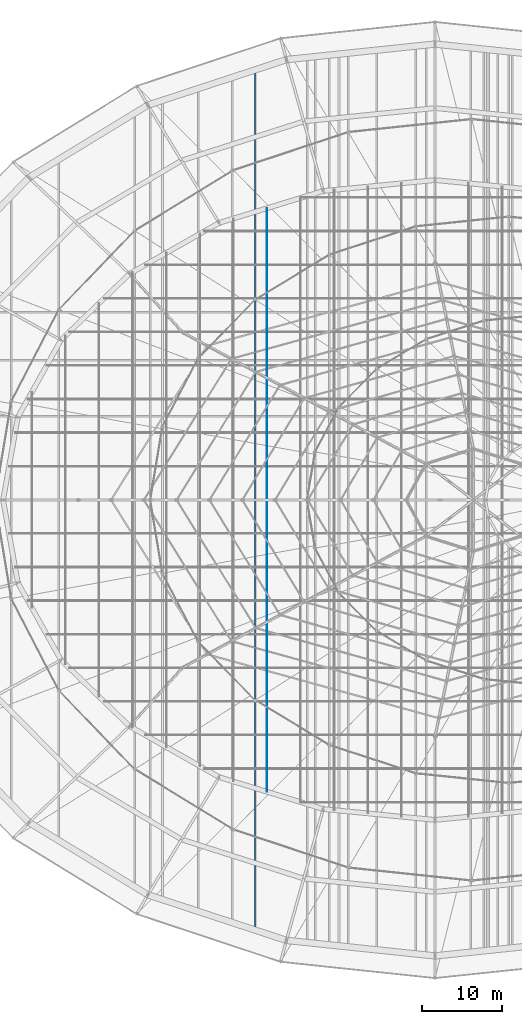
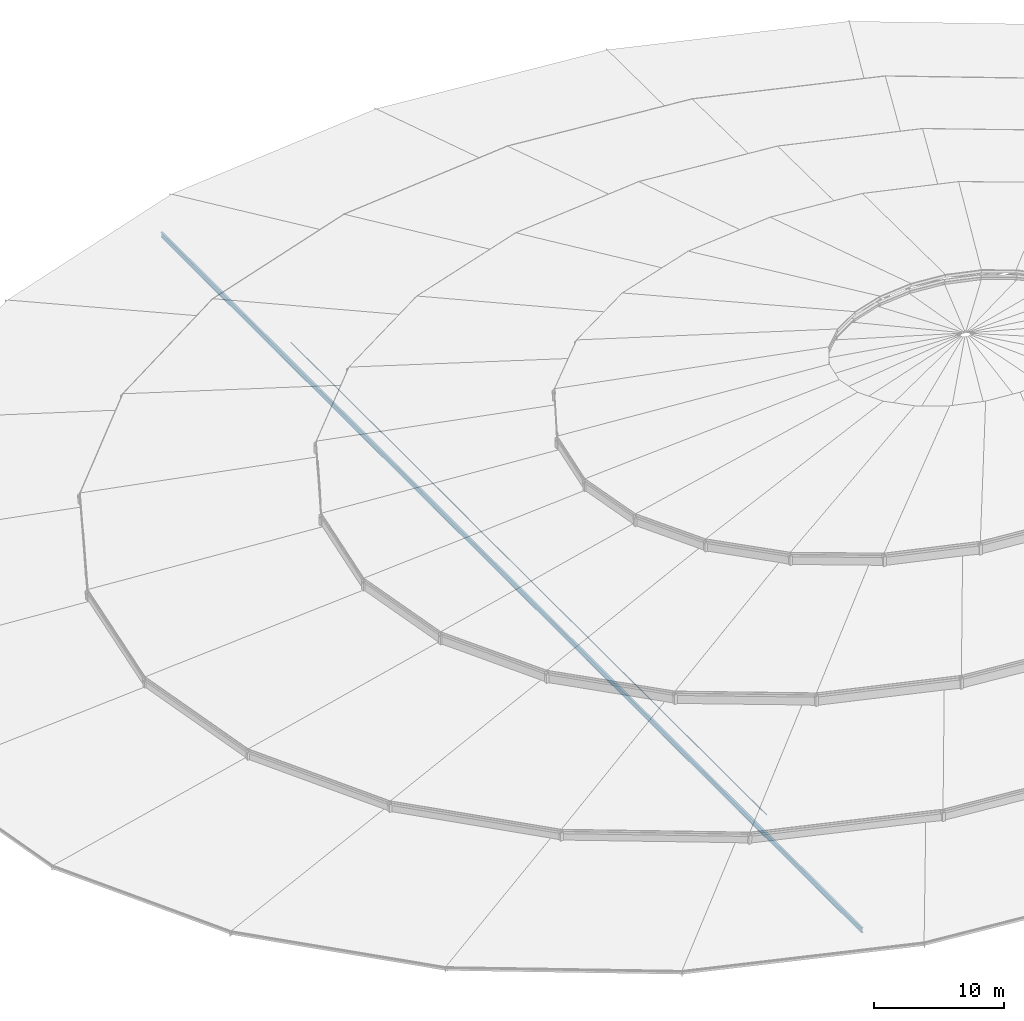
# One storey, part 24 of 184: 2 members.
"""IFC4 building model written with IfcOpenShell, lengths in metres."""

from ifc_helpers import new_model, si_unit, direction, frame, origin, origin_2d, place, context, subcontext, project, spatial, circle, i_section, extrude, material, material_profile, profile_set, type_object, element, save


model = new_model("IFC4")

# Units and contexts
model_context = context("Model", 3, precision=1e-05, world=origin(), true_north=direction((0.0, 1.0)))
body_context = subcontext(model_context, "Body", "Model", "MODEL_VIEW")
ifc_project = project(units=[si_unit("LENGTHUNIT", "METRE"), si_unit("AREAUNIT", "SQUARE_METRE"), si_unit("VOLUMEUNIT", "CUBIC_METRE"), si_unit("PLANEANGLEUNIT", "RADIAN"), si_unit("MASSUNIT", "GRAM", prefix="KILO")], contexts=[model_context])

# Site, building, storey
site_placement = place(None, origin())
site = spatial("IfcSite", under=ifc_project, at=site_placement, CompositionType="ELEMENT")
building_placement = place(site_placement, origin())
building = spatial("IfcBuilding", under=site, at=building_placement, Name="Kalgoora Escarpment Arena", CompositionType="ELEMENT")
storey_placement = place(building_placement, frame((0.0, 0.0, 27.60009765625)))
storey = spatial("IfcBuildingStorey", under=building, at=storey_placement, Name="Roof Level", CompositionType="ELEMENT", Elevation=27.60009765625)

# Members
ifc_material_1 = material(Name="High-tensile spiral strand steel Grade 450 (350 MPa)", Category="steel")
ifc_material_profile_1 = material_profile(ifc_material_1, circle(Radius=0.028076171875, at=origin_2d()))
ifc_profile_set_1 = profile_set([ifc_material_profile_1], Name="High-tensile spiral strand steel Grade 450 (350 MPa)")
member_type_1 = type_object("IfcMemberType", Name="MEM-CABLE-56", PredefinedType="USERDEFINED", material=ifc_profile_set_1)
member_1_placement = place(storey_placement, frame((71.39990234375, 27.51806640625, -1.190185546875), z_axis=(0.0, 1.0, 0.0), x_axis=(-1.0, 0.0, 0.0)))
element("IfcMember", 1, at=member_1_placement, inside=storey, type_object=member_type_1, Name="Roof saddle pretensioning cable Y-26", ObjectType="CABLE", PredefinedType="USERDEFINED", context=body_context, shape_type="SweptSolid", body=[
    extrude(circle(Radius=0.028076171875, at=origin_2d()), origin(), (0.0, 0.0, 1.0), 72.9638671875),
])
ifc_material_2 = material(Name="Structural steel AS/NZS 3679 (300 MPa)", Category="steel")
ifc_material_profile_2 = material_profile(ifc_material_2, i_section(OverallWidth=0.19091796875, OverallDepth=0.4599609375, WebThickness=0.010009765625, FlangeThickness=0.01611328125, at=origin_2d()))
ifc_profile_set_2 = profile_set([ifc_material_profile_2], Name="Structural steel AS/NZS 3679 (300 MPa)")
member_type_2 = type_object("IfcMemberType", Name="MEM-CARRIER-CHORD", PredefinedType="CHORD", material=ifc_profile_set_2)
member_2_placement = place(storey_placement, frame((69.921630859375, 10.22314453125, -1.02001953125), z_axis=(0.0, 1.0, 0.0), x_axis=(-1.0, 0.0, 0.0)))
element("IfcMember", 2, at=member_2_placement, inside=storey, type_object=member_type_2, Name="Petal RP3 spanning carrier chord C10", PredefinedType="CHORD", context=body_context, shape_type="SweptSolid", body=[
    extrude(i_section(OverallWidth=0.19091796875, OverallDepth=0.4599609375, WebThickness=0.010009765625, FlangeThickness=0.01611328125, at=origin_2d()), origin(), (0.0, 0.0, 1.0), 107.5537109375),
])

save(model, "model.ifc")
